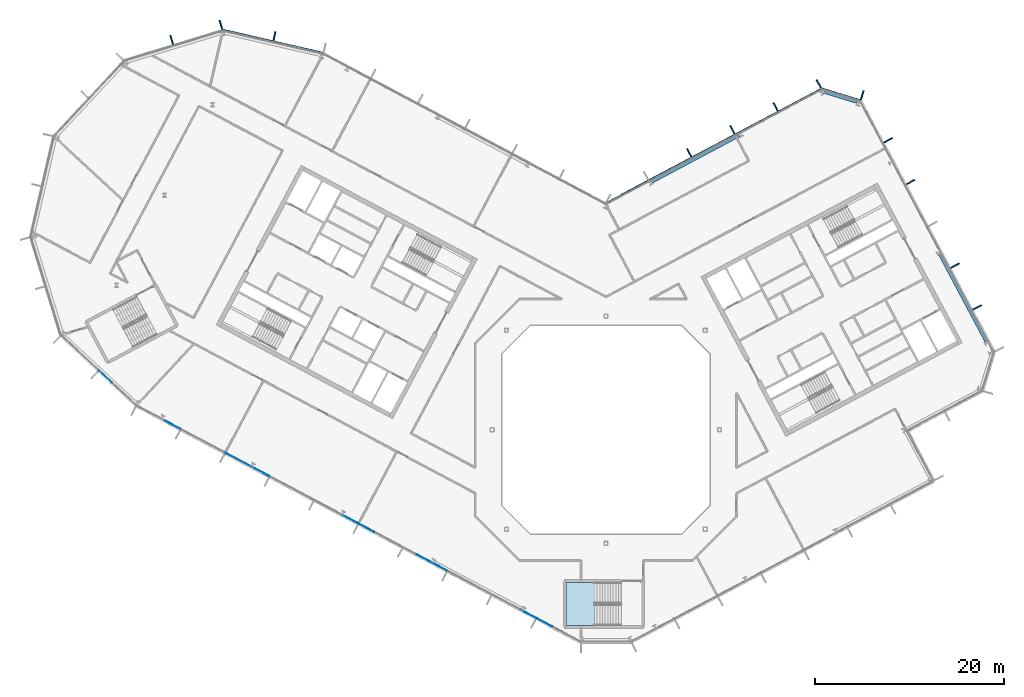
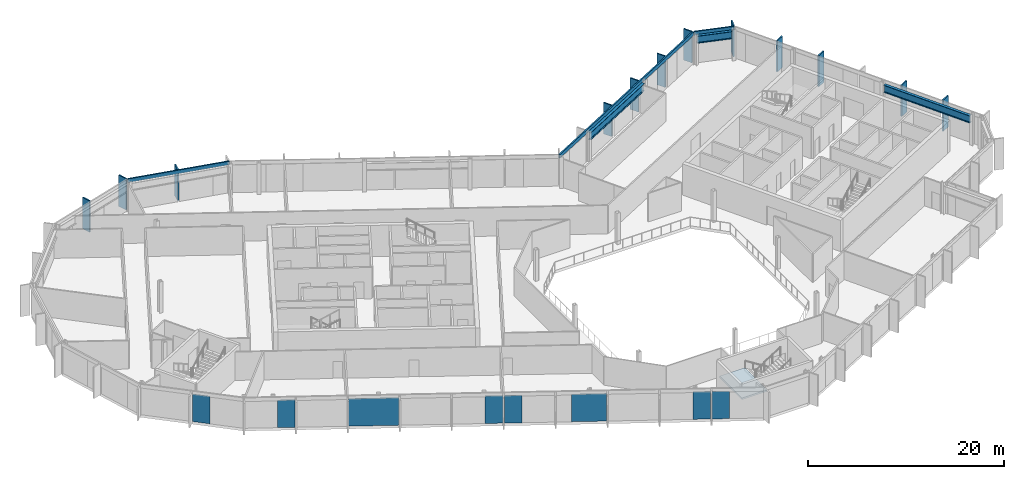
# One storey, part 10 of 25: 15 members, 8 plates, 3 beams, 1 slab, 8 elements without a shape of their own.
"""IFC4 building model written with IfcOpenShell, lengths in metres."""

from ifc_helpers import new_model, si_unit, direction, frame, origin, origin_2d, place, context, subcontext, project, spatial, polyline, rectangle, i_section, outline, extrude, material, layer, layer_set, material_profile, profile_set, type_object, element, aggregate, save


model = new_model("IFC4")

# Units and contexts
model_context = context("Model", 3, precision=1e-05, world=origin(), true_north=direction((0.0, 1.0)))
body_context = subcontext(model_context, "Body", "Model", "MODEL_VIEW")
ifc_project = project(units=[si_unit("LENGTHUNIT", "METRE"), si_unit("AREAUNIT", "SQUARE_METRE"), si_unit("VOLUMEUNIT", "CUBIC_METRE"), si_unit("PLANEANGLEUNIT", "RADIAN"), si_unit("MASSUNIT", "GRAM", prefix="KILO")], contexts=[model_context])

# Site, building, storey
site_placement = place(None, origin())
site = spatial("IfcSite", under=ifc_project, at=site_placement, CompositionType="ELEMENT")
building_placement = place(site_placement, origin())
building = spatial("IfcBuilding", under=site, at=building_placement, Name="Cormorant Relay Tower", CompositionType="ELEMENT")
storey_placement = place(building_placement, frame((0.0, 0.0, 297.0)))
storey = spatial("IfcBuildingStorey", under=building, at=storey_placement, Name="L67", CompositionType="ELEMENT", Elevation=297.0)

# Curtain wall, members
ifc_material_1 = material(Name="Aluminium 6063-T6 anodised bronze", Category="aluminium")
ifc_layer_1 = layer(ifc_material_1, 0.199951171875)
ifc_layer_set_1 = layer_set([ifc_layer_1], Name="CW1 unitised bronze curtain wall with vertical fins")
curtain_wall_type = type_object("IfcCurtainWallType", Name="CW1 unitised bronze curtain wall with vertical fins", PredefinedType="NOTDEFINED", material=ifc_layer_set_1)
curtain_wall_1_placement = place(storey_placement, origin())
curtain_wall_1 = element("IfcCurtainWall", 1, at=curtain_wall_1_placement, inside=storey, type_object=curtain_wall_type, Name="CW1 curtain wall 6", PredefinedType="NOTDEFINED")
ifc_material_2 = material(Name="Aluminium 6063-T6 anodised bronze", Category="aluminium")
ifc_material_profile_1 = material_profile(ifc_material_2, rectangle(XDim=0.14990234375, YDim=1.0, at=origin_2d()), Name="AL 150x1000")
ifc_profile_set_1 = profile_set([ifc_material_profile_1], Name="Aluminium 6063-T6 anodised bronze")
member_type_1 = type_object("IfcMemberType", Name="CW1 bronze fin mullion 150 x 1000", PredefinedType="MULLION", material=ifc_profile_set_1)
member_1_placement = place(storey_placement, frame((39.222412109375, 12.927001953125, 0.0), z_axis=(0.0, 0.0, 1.0), x_axis=(-0.469471562786, 0.882947592859, 0.0)))
member_1 = element("IfcMember", 2, at=member_1_placement, type_object=member_type_1, Name="CW1 fin 6.2", PredefinedType="MULLION", context=body_context, shape_type="SweptSolid", body=[
    extrude(rectangle(XDim=0.14990234375, YDim=1.0, at=origin_2d()), origin(), (0.0, 0.0, 1.0), 3.89990234375),
])
member_2_placement = place(storey_placement, frame((36.875, 17.341552734375, 0.0), z_axis=(0.0, 0.0, 1.0), x_axis=(-0.469471562786, 0.882947592859, 0.0)))
member_2 = element("IfcMember", 3, at=member_2_placement, type_object=member_type_1, Name="CW1 fin 6.3", PredefinedType="MULLION", context=body_context, shape_type="SweptSolid", body=[
    extrude(rectangle(XDim=0.14990234375, YDim=1.0, at=origin_2d()), origin(), (0.0, 0.0, 1.0), 3.89990234375),
])
member_3_placement = place(storey_placement, frame((32.18017578125, 26.171142578125, 0.0), z_axis=(0.0, 0.0, 1.0), x_axis=(-0.469471562786, 0.882947592859, 0.0)))
member_3 = element("IfcMember", 4, at=member_3_placement, type_object=member_type_1, Name="CW1 fin 6.5", PredefinedType="MULLION", context=body_context, shape_type="SweptSolid", body=[
    extrude(rectangle(XDim=0.14990234375, YDim=1.0, at=origin_2d()), origin(), (0.0, 0.0, 1.0), 3.89990234375),
])
member_4_placement = place(storey_placement, frame((29.832763671875, 30.585693359375, 0.0), z_axis=(0.0, 0.0, 1.0), x_axis=(-0.469471562786, 0.882947592859, 0.0)))
member_4 = element("IfcMember", 5, at=member_4_placement, type_object=member_type_1, Name="CW1 fin 6.6", PredefinedType="MULLION", context=body_context, shape_type="SweptSolid", body=[
    extrude(rectangle(XDim=0.14990234375, YDim=1.0, at=origin_2d()), origin(), (0.0, 0.0, 1.0), 3.89990234375),
])
aggregate(curtain_wall_1, [member_1, member_2, member_3, member_4])

# Curtain wall, member
curtain_wall_2_placement = place(storey_placement, origin())
curtain_wall_2 = element("IfcCurtainWall", 6, at=curtain_wall_2_placement, inside=storey, type_object=curtain_wall_type, Name="CW1 curtain wall 7", PredefinedType="NOTDEFINED")
member_5_placement = place(storey_placement, frame((27.072021484375, 35.34130859375, 0.0), z_axis=(0.0, 0.0, 1.0), x_axis=(-0.956304755963, 0.292371704723, 0.0)))
member_5 = element("IfcMember", 7, at=member_5_placement, type_object=member_type_1, Name="CW1 fin 7.1", PredefinedType="MULLION", context=body_context, shape_type="SweptSolid", body=[
    extrude(rectangle(XDim=0.14990234375, YDim=1.0, at=origin_2d()), origin(), (0.0, 0.0, 1.0), 3.89990234375),
])

# Curtain wall, members
curtain_wall_3_placement = place(storey_placement, origin())
curtain_wall_3 = element("IfcCurtainWall", 8, at=curtain_wall_3_placement, inside=storey, type_object=curtain_wall_type, Name="CW1 curtain wall 8", PredefinedType="NOTDEFINED")
member_6_placement = place(storey_placement, frame((22.4814453125, 36.530517578125, 0.0), z_axis=(0.0, 0.0, 1.0), x_axis=(-0.882947592859, -0.469471562786, 0.0)))
member_6 = element("IfcMember", 9, at=member_6_placement, type_object=member_type_1, Name="CW1 fin 8.1", PredefinedType="MULLION", context=body_context, shape_type="SweptSolid", body=[
    extrude(rectangle(XDim=0.14990234375, YDim=1.0, at=origin_2d()), origin(), (0.0, 0.0, 1.0), 3.89990234375),
])
member_7_placement = place(storey_placement, frame((17.91943359375, 34.104736328125, 0.0), z_axis=(0.0, 0.0, 1.0), x_axis=(-0.882947592859, -0.469471562786, 0.0)))
member_7 = element("IfcMember", 10, at=member_7_placement, type_object=member_type_1, Name="CW1 fin 8.2", PredefinedType="MULLION", context=body_context, shape_type="SweptSolid", body=[
    extrude(rectangle(XDim=0.14990234375, YDim=1.0, at=origin_2d()), origin(), (0.0, 0.0, 1.0), 3.89990234375),
])
member_8_placement = place(storey_placement, frame((13.357421875, 31.67919921875, 0.0), z_axis=(0.0, 0.0, 1.0), x_axis=(-0.882947592859, -0.469471562786, 0.0)))
member_8 = element("IfcMember", 11, at=member_8_placement, type_object=member_type_1, Name="CW1 fin 8.3", PredefinedType="MULLION", context=body_context, shape_type="SweptSolid", body=[
    extrude(rectangle(XDim=0.14990234375, YDim=1.0, at=origin_2d()), origin(), (0.0, 0.0, 1.0), 3.89990234375),
])
member_9_placement = place(storey_placement, frame((8.79541015625, 29.25341796875, 0.0), z_axis=(0.0, 0.0, 1.0), x_axis=(-0.882947592859, -0.469471562786, 0.0)))
member_9 = element("IfcMember", 12, at=member_9_placement, type_object=member_type_1, Name="CW1 fin 8.4", PredefinedType="MULLION", context=body_context, shape_type="SweptSolid", body=[
    extrude(rectangle(XDim=0.14990234375, YDim=1.0, at=origin_2d()), origin(), (0.0, 0.0, 1.0), 3.89990234375),
])

# Curtain wall, member
curtain_wall_4_placement = place(storey_placement, origin())
curtain_wall_4 = element("IfcCurtainWall", 13, at=curtain_wall_4_placement, inside=storey, type_object=curtain_wall_type, Name="CW1 curtain wall 10", PredefinedType="NOTDEFINED")
member_10_placement = place(storey_placement, frame((-35.01220703125, 41.57275390625, 0.0), z_axis=(0.0, 0.0, 1.0), x_axis=(-0.974370064785, 0.224951054344, 0.0)))
member_10 = element("IfcMember", 14, at=member_10_placement, type_object=member_type_1, Name="CW1 fin 10.2", PredefinedType="MULLION", context=body_context, shape_type="SweptSolid", body=[
    extrude(rectangle(XDim=0.14990234375, YDim=1.0, at=origin_2d()), origin(), (0.0, 0.0, 1.0), 3.89990234375),
])

# Curtain wall, members
curtain_wall_5_placement = place(storey_placement, origin())
curtain_wall_5 = element("IfcCurtainWall", 15, at=curtain_wall_5_placement, inside=storey, type_object=curtain_wall_type, Name="CW1 curtain wall 11", PredefinedType="NOTDEFINED")
member_11_placement = place(storey_placement, frame((-40.670166015625, 42.78271484375, 0.0), z_axis=(0.0, 0.0, 1.0), x_axis=(-0.956304755963, -0.292371704723, 0.0)))
member_11 = element("IfcMember", 16, at=member_11_placement, type_object=member_type_1, Name="CW1 fin 11.1", PredefinedType="MULLION", context=body_context, shape_type="SweptSolid", body=[
    extrude(rectangle(XDim=0.14990234375, YDim=1.0, at=origin_2d()), origin(), (0.0, 0.0, 1.0), 3.89990234375),
])
member_12_placement = place(storey_placement, frame((-45.867919921875, 41.193603515625, 0.0), z_axis=(0.0, 0.0, 1.0), x_axis=(-0.956304755963, -0.292371704723, 0.0)))
member_12 = element("IfcMember", 17, at=member_12_placement, type_object=member_type_1, Name="CW1 fin 11.2", PredefinedType="MULLION", context=body_context, shape_type="SweptSolid", body=[
    extrude(rectangle(XDim=0.14990234375, YDim=1.0, at=origin_2d()), origin(), (0.0, 0.0, 1.0), 3.89990234375),
])
aggregate(curtain_wall_5, [member_11, member_12])

# Member
ifc_material_3 = material(Name="Aluminium 6063-T6 anodised bronze", Category="aluminium")
ifc_material_profile_2 = material_profile(ifc_material_3, rectangle(XDim=0.159912109375, YDim=0.449951171875, at=origin_2d()), Name="AL 160x450")
ifc_profile_set_2 = profile_set([ifc_material_profile_2], Name="Aluminium 6063-T6 anodised bronze")
member_type_2 = type_object("IfcMemberType", Name="CW1 bronze transom 160 x 450", PredefinedType="USERDEFINED", material=ifc_profile_set_2)
member_13_placement = place(storey_placement, frame((26.902587890625, 34.78662109375, 3.675048828125), z_axis=(-0.956303761594, 0.292374957137, 0.0), x_axis=(-0.292374957137, -0.956303761594, 0.0)))
member_13 = element("IfcMember", 18, at=member_13_placement, type_object=member_type_2, Name="CW1 transom 7", ObjectType="TRANSOM", PredefinedType="USERDEFINED", context=body_context, shape_type="SweptSolid", body=[
    extrude(rectangle(XDim=0.159912109375, YDim=0.449951171875, at=origin_2d()), origin(), (0.0, 0.0, 1.0), 4.24267578125),
])

aggregate(curtain_wall_2, [member_5, member_13])

member_14_placement = place(storey_placement, frame((22.75390625, 36.018310546875, 3.675048828125), z_axis=(-0.882948156597, -0.469470502547, 0.0), x_axis=(0.469470502547, -0.882948156597, 0.0)))
member_14 = element("IfcMember", 19, at=member_14_placement, type_object=member_type_2, Name="CW1 transom 8", ObjectType="TRANSOM", PredefinedType="USERDEFINED", context=body_context, shape_type="SweptSolid", body=[
    extrude(rectangle(XDim=0.159912109375, YDim=0.449951171875, at=origin_2d()), origin(), (0.0, 0.0, 1.0), 25.834228515625),
])

aggregate(curtain_wall_3, [member_6, member_7, member_8, member_9, member_14])

member_15_placement = place(storey_placement, frame((-29.8466796875, 39.784912109375, 3.675048828125), z_axis=(-0.974365070969, 0.224972683844, 0.0), x_axis=(-0.224972683844, -0.974365070969, 0.0)))
member_15 = element("IfcMember", 20, at=member_15_placement, type_object=member_type_2, Name="CW1 transom 10", ObjectType="TRANSOM", PredefinedType="USERDEFINED", context=body_context, shape_type="SweptSolid", body=[
    extrude(rectangle(XDim=0.159912109375, YDim=0.449951171875, at=origin_2d()), origin(), (0.0, 0.0, 1.0), 10.870361328125),
])

aggregate(curtain_wall_4, [member_10, member_15])

# Beams
ifc_material_4 = material(Name="Steel ASTM A992 (Fy 345 MPa)", Category="steel")
ifc_material_profile_3 = material_profile(ifc_material_4, i_section(OverallWidth=0.307373046875, OverallDepth=0.927001953125, WebThickness=0.019287109375, FlangeThickness=0.031982421875, FilletRadius=0.01904296875, at=origin_2d()), Name="W920x289")
ifc_profile_set_3 = profile_set([ifc_material_profile_3], Name="Steel ASTM A992 (Fy 345 MPa)")
beam_type = type_object("IfcBeamType", Name="Spandrel W920x289", PredefinedType="SPANDREL", material=ifc_profile_set_3)
beam_1_placement = place(storey_placement, frame((40.1591796875, 9.3466796875, 3.076416015625), z_axis=(-0.469474391681, 0.882946088703, 0.0), x_axis=(-0.882946088703, -0.469474391681, 0.0)))
element("IfcBeam", 21, at=beam_1_placement, inside=storey, type_object=beam_type, Name="Spandrel beam L67-006", PredefinedType="SPANDREL", context=body_context, shape_type="SweptSolid", body=[
    extrude(i_section(OverallWidth=0.307373046875, OverallDepth=0.927001953125, WebThickness=0.019287109375, FlangeThickness=0.031982421875, FilletRadius=0.01904296875, at=origin_2d()), origin(), (0.0, 0.0, 1.0), 10.401611328125),
])
beam_2_placement = place(storey_placement, frame((26.512451171875, 34.619873046875, 3.076416015625), z_axis=(-0.956313678807, 0.292342517821, 0.0), x_axis=(-0.292342517821, -0.956313678807, 0.0)))
element("IfcBeam", 22, at=beam_2_placement, inside=storey, type_object=beam_type, Name="Spandrel beam L67-007", PredefinedType="SPANDREL", context=body_context, shape_type="SweptSolid", body=[
    extrude(i_section(OverallWidth=0.307373046875, OverallDepth=0.927001953125, WebThickness=0.019287109375, FlangeThickness=0.031982421875, FilletRadius=0.01904296875, at=origin_2d()), origin(), (0.0, 0.0, 1.0), 3.65185546875),
])
beam_3_placement = place(storey_placement, frame((14.05322265625, 31.082275390625, 3.076416015625), z_axis=(-0.882950644937, -0.469465822617, 0.0), x_axis=(0.469465822617, -0.882950644937, 0.0)))
element("IfcBeam", 23, at=beam_3_placement, inside=storey, type_object=beam_type, Name="Spandrel beam L67-008", PredefinedType="SPANDREL", context=body_context, shape_type="SweptSolid", body=[
    extrude(i_section(OverallWidth=0.307373046875, OverallDepth=0.927001953125, WebThickness=0.019287109375, FlangeThickness=0.031982421875, FilletRadius=0.01904296875, at=origin_2d()), origin(), (0.0, 0.0, 1.0), 10.4013671875),
])

# Curtain wall, plate
curtain_wall_6_placement = place(storey_placement, origin())
curtain_wall_6 = element("IfcCurtainWall", 24, at=curtain_wall_6_placement, inside=storey, type_object=curtain_wall_type, Name="CW1 curtain wall 15", PredefinedType="NOTDEFINED")
ifc_material_5 = material(Name="Tinted laminated glass", Category="glass")
ifc_layer_2 = layer(ifc_material_5, 0.0400390625)
ifc_layer_set_2 = layer_set([ifc_layer_2], Name="CW1 tinted vision panel 1800 module")
plate_type_1 = type_object("IfcPlateType", Name="CW1 tinted vision panel 1800 module", PredefinedType="CURTAIN_PANEL", material=ifc_layer_set_2)
plate_1_placement = place(storey_placement, frame((-52.8671875, 5.611572265625, 0.0), z_axis=(0.0, 0.0, 1.0), x_axis=(0.731353701619, -0.681998360062, 0.0)))
plate_1 = element("IfcPlate", 25, at=plate_1_placement, type_object=plate_type_1, Name="CW1 panel V01", PredefinedType="CURTAIN_PANEL", context=body_context, shape_type="SweptSolid", body=[
    extrude(rectangle(XDim=1.800048828125, YDim=0.0400390625, at=origin_2d()), origin(), (0.0, 0.0, 1.0), 3.449951171875),
])
aggregate(curtain_wall_6, [plate_1])

# Curtain wall, plates
curtain_wall_7_placement = place(storey_placement, origin())
curtain_wall_7 = element("IfcCurtainWall", 26, at=curtain_wall_7_placement, inside=storey, type_object=curtain_wall_type, Name="CW1 curtain wall 16", PredefinedType="NOTDEFINED")
plate_2_placement = place(storey_placement, frame((-45.767578125, 0.5283203125, 0.0), z_axis=(0.0, 0.0, 1.0), x_axis=(0.882947592859, -0.469471562786, 0.0)))
plate_2 = element("IfcPlate", 27, at=plate_2_placement, type_object=plate_type_1, Name="CW1 panel V01", PredefinedType="CURTAIN_PANEL", context=body_context, shape_type="SweptSolid", body=[
    extrude(rectangle(XDim=1.800048828125, YDim=0.0400390625, at=origin_2d()), origin(), (0.0, 0.0, 1.0), 3.449951171875),
])
plate_3_placement = place(storey_placement, frame((-26.990478515625, -9.45556640625, 0.0), z_axis=(0.0, 0.0, 1.0), x_axis=(0.882947592859, -0.469471562786, 0.0)))
plate_3 = element("IfcPlate", 28, at=plate_3_placement, type_object=plate_type_1, Name="CW1 panel V05", PredefinedType="CURTAIN_PANEL", context=body_context, shape_type="SweptSolid", body=[
    extrude(rectangle(XDim=1.800048828125, YDim=0.0400390625, at=origin_2d()), origin(), (0.0, 0.0, 1.0), 3.449951171875),
])
plate_4_placement = place(storey_placement, frame((-25.268798828125, -10.37109375, 0.0), z_axis=(0.0, 0.0, 1.0), x_axis=(0.882947592859, -0.469471562786, 0.0)))
plate_4 = element("IfcPlate", 29, at=plate_4_placement, type_object=plate_type_1, Name="CW1 panel V06", PredefinedType="CURTAIN_PANEL", context=body_context, shape_type="SweptSolid", body=[
    extrude(rectangle(XDim=1.800048828125, YDim=0.0400390625, at=origin_2d()), origin(), (0.0, 0.0, 1.0), 3.449951171875),
])
plate_5_placement = place(storey_placement, frame((-8.21337890625, -19.439453125, 0.0), z_axis=(0.0, 0.0, 1.0), x_axis=(0.882947592859, -0.469471562786, 0.0)))
plate_5 = element("IfcPlate", 30, at=plate_5_placement, type_object=plate_type_1, Name="CW1 panel V10", PredefinedType="CURTAIN_PANEL", context=body_context, shape_type="SweptSolid", body=[
    extrude(rectangle(XDim=1.800048828125, YDim=0.0400390625, at=origin_2d()), origin(), (0.0, 0.0, 1.0), 3.449951171875),
])
plate_6_placement = place(storey_placement, frame((-6.49169921875, -20.35498046875, 0.0), z_axis=(0.0, 0.0, 1.0), x_axis=(0.882947592859, -0.469471562786, 0.0)))
plate_6 = element("IfcPlate", 31, at=plate_6_placement, type_object=plate_type_1, Name="CW1 panel V11", PredefinedType="CURTAIN_PANEL", context=body_context, shape_type="SweptSolid", body=[
    extrude(rectangle(XDim=1.800048828125, YDim=0.0400390625, at=origin_2d()), origin(), (0.0, 0.0, 1.0), 3.449951171875),
])
ifc_material_6 = material(Name="Tinted laminated glass", Category="glass")
ifc_layer_3 = layer(ifc_material_6, 0.0400390625)
ifc_layer_set_3 = layer_set([ifc_layer_3], Name="CW1 tinted vision panel 3600 module")
plate_type_2 = type_object("IfcPlateType", Name="CW1 tinted vision panel 3600 module", PredefinedType="CURTAIN_PANEL", material=ifc_layer_set_3)
plate_7_placement = place(storey_placement, frame((-18.396484375, -14.02490234375, 0.0), z_axis=(0.0, 0.0, 1.0), x_axis=(0.882947592859, -0.469471562786, 0.0)))
plate_7 = element("IfcPlate", 32, at=plate_7_placement, type_object=plate_type_2, Name="CW1 panel V08", PredefinedType="CURTAIN_PANEL", context=body_context, shape_type="SweptSolid", body=[
    extrude(rectangle(XDim=3.60009765625, YDim=0.0400390625, at=origin_2d()), origin(), (0.0, 0.0, 1.0), 3.449951171875),
])
ifc_material_7 = material(Name="Tinted laminated glass", Category="glass")
ifc_layer_4 = layer(ifc_material_7, 0.0400390625)
ifc_layer_set_4 = layer_set([ifc_layer_4], Name="CW1 tinted vision panel 5400 module")
plate_type_3 = type_object("IfcPlateType", Name="CW1 tinted vision panel 5400 module", PredefinedType="CURTAIN_PANEL", material=ifc_layer_set_4)
plate_8_placement = place(storey_placement, frame((-37.865234375, -3.67333984375, 0.0), z_axis=(0.0, 0.0, 1.0), x_axis=(0.882947592859, -0.469471562786, 0.0)))
plate_8 = element("IfcPlate", 33, at=plate_8_placement, type_object=plate_type_3, Name="CW1 panel V03", PredefinedType="CURTAIN_PANEL", context=body_context, shape_type="SweptSolid", body=[
    extrude(rectangle(XDim=5.16650390625, YDim=0.0400390625, at=origin_2d()), origin(), (0.0, 0.0, 1.0), 3.449951171875),
])
aggregate(curtain_wall_7, [plate_2, plate_8, plate_3, plate_4, plate_7, plate_5, plate_6])

# Stair, slab
ifc_material_8 = material(Name="Concrete 40 MPa", Category="concrete")
stair_type = type_object("IfcStairType", Name="Remote exit stair 2200", PredefinedType="HALF_TURN_STAIR", material=ifc_material_8)
stair_placement = place(storey_placement, origin())
stair = element("IfcStair", 34, at=stair_placement, inside=storey, type_object=stair_type, Name="L67 Stair", PredefinedType="HALF_TURN_STAIR")
ifc_material_9 = material(Name="Concrete 40 MPa", Category="concrete")
ifc_layer_5 = layer(ifc_material_9, 0.199951171875)
ifc_layer_set_5 = layer_set([ifc_layer_5], Name="Exit stair landing 200")
slab_type = type_object("IfcSlabType", Name="Exit stair landing 200", PredefinedType="LANDING", material=ifc_layer_set_5)
slab_placement = place(storey_placement, frame((0.0, 0.0, 1.75)))
slab = element("IfcSlab", 35, at=slab_placement, type_object=slab_type, Name="RK1 landing 1", PredefinedType="LANDING", context=body_context, shape_type="SweptSolid", body=[
    extrude(outline(polyline([(-1.199951171875, -16.125), (-4.199951171875, -16.125), (-4.199951171875, -20.675048828125), (-1.199951171875, -20.675048828125), (-1.199951171875, -16.125)])), origin(), (0.0, 0.0, 1.0), 0.199951171875),
])
aggregate(stair, [slab])

save(model, "model.ifc")
